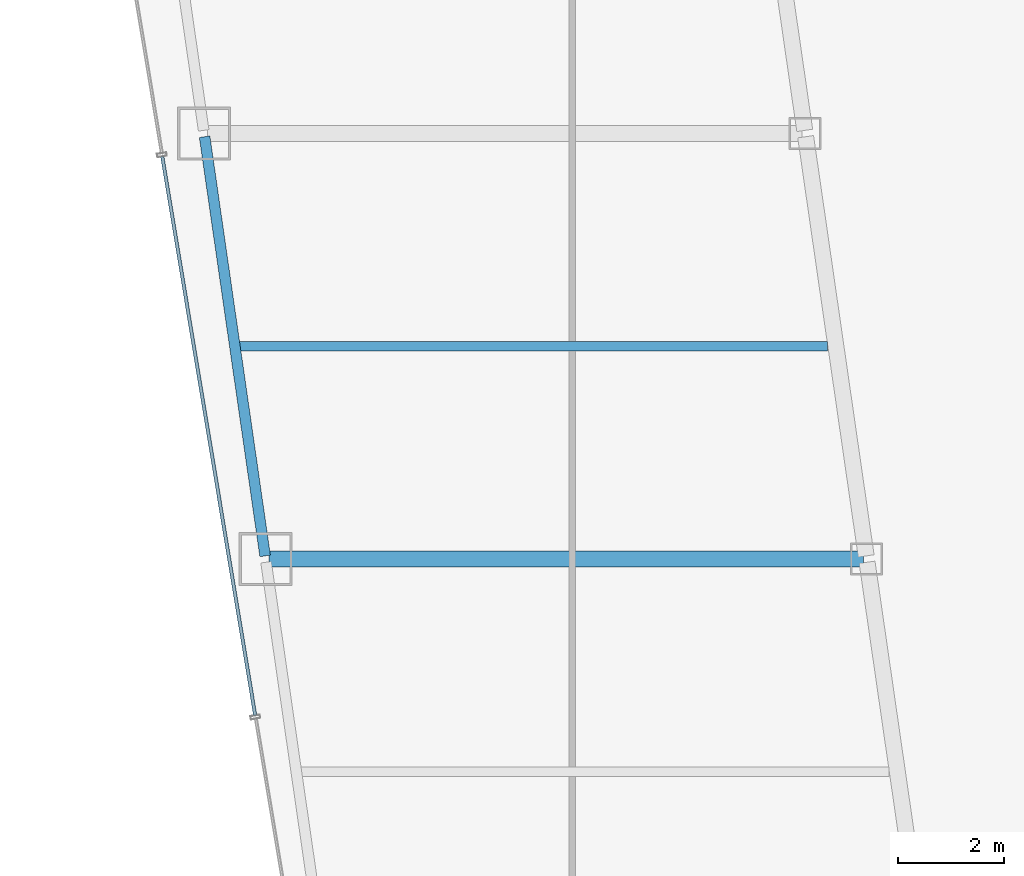
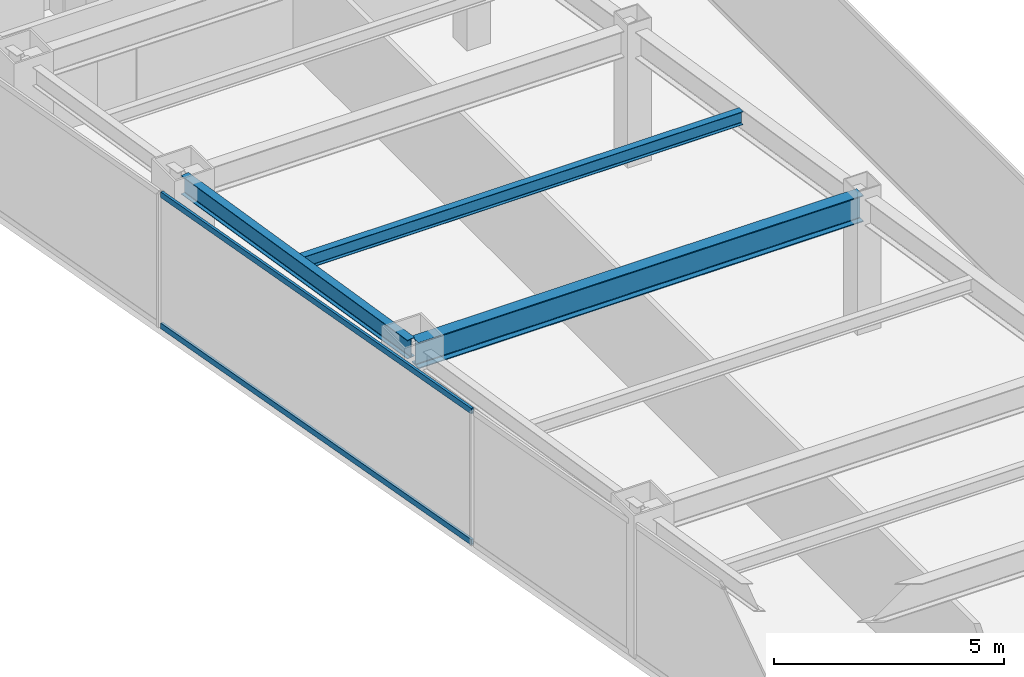
# One storey, part 8 of 37: 3 beams, 2 members, 1 element without a shape of its own.
"""IFC4 building model written with IfcOpenShell, lengths in metres."""

from ifc_helpers import new_model, si_unit, direction, frame, origin, origin_2d, place, context, subcontext, project, spatial, hollow_rectangle, i_section, extrude, material, material_profile, profile_set, type_object, element, aggregate, save


model = new_model("IFC4")

# Units and contexts
model_context = context("Model", 3, precision=1e-05, world=origin(), true_north=direction((0.0, 1.0)))
body_context = subcontext(model_context, "Body", "Model", "MODEL_VIEW")
ifc_project = project(units=[si_unit("LENGTHUNIT", "METRE"), si_unit("AREAUNIT", "SQUARE_METRE"), si_unit("VOLUMEUNIT", "CUBIC_METRE"), si_unit("PLANEANGLEUNIT", "RADIAN"), si_unit("MASSUNIT", "GRAM", prefix="KILO")], contexts=[model_context])

# Site, building, storey
site_placement = place(None, origin())
site = spatial("IfcSite", under=ifc_project, at=site_placement, CompositionType="ELEMENT")
building_placement = place(site_placement, origin())
building = spatial("IfcBuilding", under=site, at=building_placement, Name="Saevonmaru Cultural Tower", CompositionType="ELEMENT")
storey_placement = place(building_placement, frame((0.0, 0.0, 144.800048828125)))
storey = spatial("IfcBuildingStorey", under=building, at=storey_placement, Name="L31", CompositionType="ELEMENT", Elevation=144.800048828125)

# Beams
ifc_material_1 = material(Name="Steel SM355", Category="steel")
ifc_material_profile_1 = material_profile(ifc_material_1, i_section(OverallWidth=0.300048828125, OverallDepth=0.699951171875, WebThickness=0.012939453125, FlangeThickness=0.02392578125, FilletRadius=0.02587890625, at=origin_2d()), Name="H-700x300x13x24")
ifc_profile_set_1 = profile_set([ifc_material_profile_1], Name="Steel SM355")
beam_type_1 = type_object("IfcBeamType", Name="BM-G-H700", PredefinedType="BEAM", material=ifc_profile_set_1)
beam_1_placement = place(storey_placement, frame((9.531982421875, 24.0, 3.199951171875), z_axis=(1.0, 0.0, 0.0), x_axis=(0.0, 1.0, 0.0)))
element("IfcBeam", 1, at=beam_1_placement, inside=storey, type_object=beam_type_1, Name="L31 West Wing Transverse Girder 3", PredefinedType="BEAM", context=body_context, shape_type="SweptSolid", body=[
    extrude(i_section(OverallWidth=0.300048828125, OverallDepth=0.699951171875, WebThickness=0.012939453125, FlangeThickness=0.02392578125, FilletRadius=0.02587890625, at=origin_2d()), origin(), (0.0, 0.0, 1.0), 11.179931640625),
])
ifc_material_profile_2 = material_profile(ifc_material_1, i_section(OverallWidth=0.175048828125, OverallDepth=0.35009765625, WebThickness=0.007080078125, FlangeThickness=0.010986328125, FilletRadius=0.012939453125, at=origin_2d()), Name="H-350x175x7x11")
ifc_profile_set_2 = profile_set([ifc_material_profile_2], Name="Steel SM355")
beam_type_2 = type_object("IfcBeamType", Name="BM-J-H350", PredefinedType="JOIST", material=ifc_profile_set_2)
beam_2_placement = place(storey_placement, frame((8.95458984375, 28.0, 3.375), z_axis=(1.0, 0.0, 0.0), x_axis=(0.0, 1.0, 0.0)))
element("IfcBeam", 2, at=beam_2_placement, inside=storey, type_object=beam_type_2, Name="L31 West Wing Floor Joist 3", PredefinedType="JOIST", context=body_context, shape_type="SweptSolid", body=[
    extrude(i_section(OverallWidth=0.175048828125, OverallDepth=0.35009765625, WebThickness=0.007080078125, FlangeThickness=0.010986328125, FilletRadius=0.012939453125, at=origin_2d()), origin(), (0.0, 0.0, 1.0), 11.08203125),
])
ifc_material_profile_3 = material_profile(ifc_material_1, i_section(OverallWidth=0.199951171875, OverallDepth=0.5, WebThickness=0.010009765625, FlangeThickness=0.01611328125, FilletRadius=0.02001953125, at=origin_2d()), Name="H-500x200x10x16")
ifc_profile_set_3 = profile_set([ifc_material_profile_3], Name="Steel SM355")
beam_type_3 = type_object("IfcBeamType", Name="BM-SP-H500", PredefinedType="SPANDREL", material=ifc_profile_set_3)
beam_3_placement = place(storey_placement, frame((9.46337890625, 24.059326171875, 3.300048828125), z_axis=(-0.142871999001, 0.989741174197, 0.0), x_axis=(-0.989741174197, -0.142871999001, 0.0)))
element("IfcBeam", 3, at=beam_3_placement, inside=storey, type_object=beam_type_3, Name="L31 West Splayed Spandrel 3", PredefinedType="SPANDREL", context=body_context, shape_type="SweptSolid", body=[
    extrude(i_section(OverallWidth=0.199951171875, OverallDepth=0.5, WebThickness=0.010009765625, FlangeThickness=0.01611328125, FilletRadius=0.02001953125, at=origin_2d()), origin(), (0.0, 0.0, 1.0), 7.963134765625),
])

# Curtain wall, members
ifc_material_2 = material(Name="Satin Bronze Anodised Aluminium", Category="aluminium")
curtain_wall_type = type_object("IfcCurtainWallType", Name="CW-TYP-A", PredefinedType="NOTDEFINED", material=ifc_material_2)
curtain_wall_placement = place(storey_placement, origin())
curtain_wall = element("IfcCurtainWall", 4, at=curtain_wall_placement, inside=storey, type_object=curtain_wall_type, Name="L31 Unitised Curtain Wall E12", PredefinedType="NOTDEFINED")
ifc_material_profile_4 = material_profile(ifc_material_2, hollow_rectangle(XDim=0.06494140625, YDim=0.14990234375, WallThickness=0.00390625, at=origin_2d()), Name="ALU-TRAN-150x65x4")
ifc_profile_set_4 = profile_set([ifc_material_profile_4], Name="Satin Bronze Anodised Aluminium")
member_type = type_object("IfcMemberType", Name="TR-CW-150x65", PredefinedType="USERDEFINED", material=ifc_profile_set_4)
member_1_placement = place(storey_placement, frame((7.52978515625, 31.56787109375, 0.032470703125), z_axis=(0.163993787386, -0.98646137162, 0.0), x_axis=(0.98646137162, 0.163993787386, 0.0)))
member_1 = element("IfcMember", 5, at=member_1_placement, type_object=member_type, Name="CW-TW-L31-E12 transom 3.1", ObjectType="TRANSOM", PredefinedType="USERDEFINED", context=body_context, shape_type="SweptSolid", body=[
    extrude(hollow_rectangle(XDim=0.06494140625, YDim=0.14990234375, WallThickness=0.00390625, at=origin_2d()), origin(), (0.0, 0.0, 1.0), 10.650390625),
])
member_2_placement = place(storey_placement, frame((7.52978515625, 31.56787109375, 3.517333984375), z_axis=(0.163993787386, -0.98646137162, 0.0), x_axis=(0.98646137162, 0.163993787386, 0.0)))
member_2 = element("IfcMember", 6, at=member_2_placement, type_object=member_type, Name="CW-TW-L31-E12 transom 3.2", ObjectType="TRANSOM", PredefinedType="USERDEFINED", context=body_context, shape_type="SweptSolid", body=[
    extrude(hollow_rectangle(XDim=0.06494140625, YDim=0.14990234375, WallThickness=0.00390625, at=origin_2d()), origin(), (0.0, 0.0, 1.0), 10.650390625),
])
aggregate(curtain_wall, [member_1, member_2])

save(model, "model.ifc")
